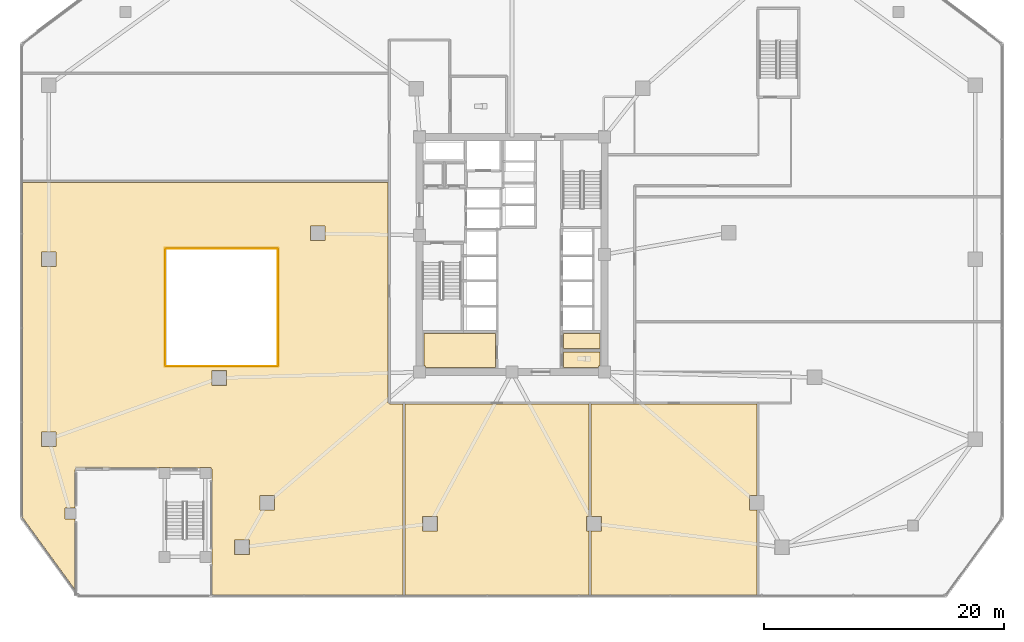
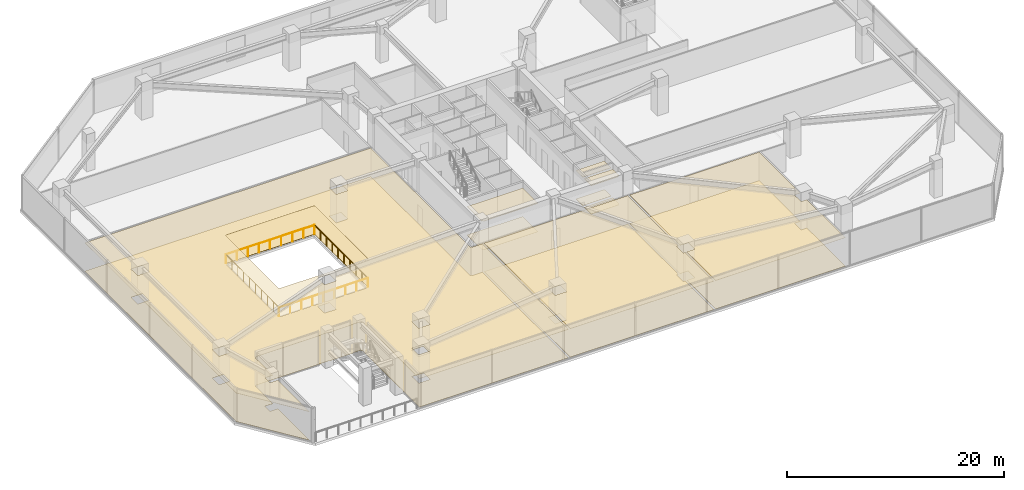
# One storey, part 15 of 22: 12 coverings, 4 railings.
"""IFC4 building model written with IfcOpenShell, lengths in metres."""

import ifcopenshell
import ifcopenshell.guid

model = None  # the IFC model being written
_history = None  # IfcOwnerHistory: only IFC2X3 demands one
_inside = {}  # id of a spatial element -> (the spatial element, [elements in it])
_under = {}  # id of a project, library or spatial element -> (it, [spatial elements below it])
_declared = {}  # id of a project -> (the project, [libraries it declares])
_typed = {}  # id of a type object -> (the type object, [elements of that type])
_made_of = {}  # id of a material, layer set ... -> (it, [elements and type objects made of it])


def new_model(schema):
    """Start an empty IFC model of exactly this schema.

    Asked for "IFC4X3", IfcOpenShell would pick the latest addendum, in which some entities
    have other attributes; the version numbers below select the first issue.
    IFC2X3 requires an IfcOwnerHistory on every rooted entity: one is made here for all.
    """
    global model, _history
    if schema == "IFC4X3":
        model = ifcopenshell.file(schema_version=(4, 3, 0, 0))
    else:
        model = ifcopenshell.file(schema=schema)
    _inside.clear()
    _under.clear()
    _declared.clear()
    _typed.clear()
    _made_of.clear()
    _history = None
    if model.schema == "IFC2X3":
        org = make("IfcOrganization", Name="unknown")
        user = make(
            "IfcPersonAndOrganization",
            ThePerson=make("IfcPerson", FamilyName="unknown"),
            TheOrganization=org,
        )
        app = make(
            "IfcApplication",
            ApplicationDeveloper=org,
            Version="unknown",
            ApplicationFullName="unknown",
            ApplicationIdentifier="unknown",
        )
        _history = make(
            "IfcOwnerHistory",
            OwningUser=user,
            OwningApplication=app,
            ChangeAction="ADDED",
            CreationDate=0,
        )
    return model


def make(cls, **values):
    """One entity of the class cls with the attributes given. An attribute that is None is left unset."""
    return model.create_entity(
        cls, **{name: value for name, value in values.items() if value is not None}
    )


def rooted(cls, **values):
    """An entity with a GlobalId (a new one), such as an element, a storey or a relation."""
    return make(cls, GlobalId=ifcopenshell.guid.new(), OwnerHistory=_history, **values)


def si_unit(unit_type, name, prefix=None):
    """IfcSIUnit, for example si_unit("LENGTHUNIT", "METRE", prefix="MILLI")."""
    return make("IfcSIUnit", UnitType=unit_type, Prefix=prefix, Name=name)


def assignment(units):
    """IfcUnitAssignment: the units of a project."""
    return None if units is None else make("IfcUnitAssignment", Units=units)


def point(xyz):
    """IfcCartesianPoint."""
    return None if xyz is None else make("IfcCartesianPoint", Coordinates=xyz)


def direction(xyz):
    """IfcDirection."""
    return None if xyz is None else make("IfcDirection", DirectionRatios=xyz)


def frame(location, z_axis=None, x_axis=None):
    """IfcAxis2Placement3D, a coordinate frame: its origin and axes. An axis left out is left unset."""
    return make(
        "IfcAxis2Placement3D",
        Location=point(location),
        Axis=direction(z_axis),
        RefDirection=direction(x_axis),
    )


def frame_2d(location, x_axis=None):
    """IfcAxis2Placement2D, a coordinate frame in the plane: its origin and x axis."""
    return make(
        "IfcAxis2Placement2D", Location=point(location), RefDirection=direction(x_axis)
    )


def origin():
    """The frame at (0, 0, 0) with its axes left unset."""
    return frame((0.0, 0.0, 0.0))


def origin_2d():
    """The frame at (0, 0) in the plane with its x axis left unset."""
    return frame_2d((0.0, 0.0))


def place(relative_to, where):
    """IfcLocalPlacement: puts the frame where relative to a parent placement (None: the world)."""
    return make(
        "IfcLocalPlacement", PlacementRelTo=relative_to, RelativePlacement=where
    )


def context(
    kind, dimensions, precision=None, world=None, true_north=None, identifier=None
):
    """IfcGeometricRepresentationContext, for example the 3D "Model" context."""
    return make(
        "IfcGeometricRepresentationContext",
        ContextIdentifier=identifier,
        ContextType=kind,
        CoordinateSpaceDimension=dimensions,
        Precision=precision,
        WorldCoordinateSystem=world,
        TrueNorth=true_north,
    )


def subcontext(parent, identifier, kind, view, scale=None):
    """IfcGeometricRepresentationSubContext, for example "Body" below "Model"."""
    return make(
        "IfcGeometricRepresentationSubContext",
        ContextIdentifier=identifier,
        ContextType=kind,
        ParentContext=parent,
        TargetScale=scale,
        TargetView=view,
    )


def project(units=None, contexts=None):
    """IfcProject with its units and contexts."""
    return rooted(
        "IfcProject",
        Name="project",
        RepresentationContexts=contexts,
        UnitsInContext=assignment(units),
    )


def spatial(cls, under=None, at=None, **own):
    """A site, building, storey or space (cls), placed at a placement, below another one or the project."""
    s = rooted(cls, ObjectPlacement=at, **own)
    if under is not None:
        _under.setdefault(under.id(), (under, []))[1].append(s)
    return s


def polyline(points):
    """IfcPolyline through the points."""
    return make("IfcPolyline", Points=[point(p) for p in points])


def profile(cls, at=None, kind="AREA", **sizes):
    """A parametric profile (cls). Its sizes go by their IFC names, for example OverallWidth=200.0."""
    return make(cls, ProfileType=kind, Position=at, **sizes)


def circle(**sizes):
    """IfcCircleProfileDef."""
    return profile("IfcCircleProfileDef", **sizes)


def outline(outer, holes=None, kind="AREA"):
    """IfcArbitraryClosedProfileDef: a profile drawn as a closed curve; with holes, ...WithVoids."""
    if holes is None:
        return make("IfcArbitraryClosedProfileDef", ProfileType=kind, OuterCurve=outer)
    return make(
        "IfcArbitraryProfileDefWithVoids",
        ProfileType=kind,
        OuterCurve=outer,
        InnerCurves=holes,
    )


def extrude(swept, where, along, depth):
    """IfcExtrudedAreaSolid: the profile swept, set in the frame where, extruded along a direction by depth."""
    return make(
        "IfcExtrudedAreaSolid",
        SweptArea=swept,
        Position=where,
        ExtrudedDirection=direction(along),
        Depth=depth,
    )


def shape(context_of_items, identifier, shape_type, items):
    """IfcShapeRepresentation: the items that make up one representation, for example the "Body"."""
    return make(
        "IfcShapeRepresentation",
        ContextOfItems=context_of_items,
        RepresentationIdentifier=identifier,
        RepresentationType=shape_type,
        Items=items,
    )


def material(Name=None, Category=None):
    """IfcMaterial."""
    return make("IfcMaterial", Name=Name, Category=Category)


def layer(
    of_material, thickness, ventilated=None, Name=None, Category=None, Priority=None
):
    """IfcMaterialLayer: one layer of a wall or slab, of a material (None: an air gap)."""
    return make(
        "IfcMaterialLayer",
        Material=of_material,
        LayerThickness=thickness,
        IsVentilated=ventilated,
        Name=Name,
        Category=Category,
        Priority=Priority,
    )


def layer_set(layers, Name=None):
    """IfcMaterialLayerSet."""
    return make("IfcMaterialLayerSet", MaterialLayers=layers, LayerSetName=Name)


def made_of(thing, what):
    """Note that an element or type object is made of a material, layer set ...; save() writes the relation."""
    if what is not None:
        _made_of.setdefault(what.id(), (what, []))[1].append(thing)
    return thing


def type_object(cls, material=None, **own):
    """A type object (cls), such as IfcWallType, which elements share."""
    return made_of(rooted(cls, **own), material)


def element(
    cls,
    number,
    at=None,
    inside=None,
    cuts=None,
    type_object=None,
    material=None,
    context=None,
    identifier="Body",
    shape_type=None,
    held_by="IfcProductDefinitionShape",
    body=None,
    shapes=None,
    **own,
):
    """One element of the class cls, such as IfcWall. Its Tag is "e" and its number.

    at: its placement. inside: the storey or other place that contains it. cuts: it is an
    opening in that element (IfcRelVoidsElement). A single representation is given by context,
    identifier, shape_type and body (its items); several are given by shapes. held_by: the class
    of the entity that holds the representations. save() writes the other relations.
    """
    e = rooted(cls, Tag="e%d" % number, ObjectPlacement=at, **own)
    if body is not None:
        shapes = [shape(context, identifier, shape_type, body)]
    if shapes is not None:
        e.Representation = make(held_by, Representations=shapes)
    if inside is not None:
        _inside.setdefault(inside.id(), (inside, []))[1].append(e)
    if cuts is not None:
        rooted(
            "IfcRelVoidsElement", RelatingBuildingElement=cuts, RelatedOpeningElement=e
        )
    if type_object is not None:
        _typed.setdefault(type_object.id(), (type_object, []))[1].append(e)
    return made_of(e, material)


def aggregate(whole, parts):
    """IfcRelAggregates: a whole, such as a stair, and the parts it consists of."""
    return rooted("IfcRelAggregates", RelatingObject=whole, RelatedObjects=parts)


def save(model, path):
    """Write the relations noted so far, then the file.

    IfcRelAggregates (storeys below a building ...), IfcRelContainedInSpatialStructure (elements
    in a storey), IfcRelDefinesByType, IfcRelAssociatesMaterial and IfcRelDeclares: one each for
    every whole, place, type object, material and project.
    """
    for whole, parts in _under.values():
        aggregate(whole, parts)
    for where, things in _inside.values():
        rooted(
            "IfcRelContainedInSpatialStructure",
            RelatedElements=things,
            RelatingStructure=where,
        )
    for kind, things in _typed.values():
        rooted("IfcRelDefinesByType", RelatedObjects=things, RelatingType=kind)
    for what, things in _made_of.values():
        rooted("IfcRelAssociatesMaterial", RelatedObjects=things, RelatingMaterial=what)
    for by, libraries in _declared.values():
        rooted("IfcRelDeclares", RelatingContext=by, RelatedDefinitions=libraries)
    model.write(path)


model = new_model("IFC4")

# Units and contexts
model_context = context("Model", 3, precision=1e-05, world=origin(), true_north=direction((0.0, 1.0)))
body_context = subcontext(model_context, "Body", "Model", "MODEL_VIEW")
ifc_project = project(units=[si_unit("LENGTHUNIT", "METRE"), si_unit("AREAUNIT", "SQUARE_METRE"), si_unit("VOLUMEUNIT", "CUBIC_METRE"), si_unit("PLANEANGLEUNIT", "RADIAN"), si_unit("MASSUNIT", "GRAM", prefix="KILO")], contexts=[model_context])

# Site, building, storey
site_placement = place(None, origin())
site = spatial("IfcSite", under=ifc_project, at=site_placement, CompositionType="ELEMENT")
building_placement = place(site_placement, origin())
building = spatial("IfcBuilding", under=site, at=building_placement, Name="Savorim Split Tower", CompositionType="ELEMENT")
storey_placement = place(building_placement, frame((0.0, 0.0, 17.60009765625)))
storey = spatial("IfcBuildingStorey", under=building, at=storey_placement, Name="L04", CompositionType="ELEMENT", Elevation=17.60009765625)

# Coverings
ifc_material_1 = material(Name="Mineral Fibre Acoustic Ceiling")
ifc_layer_1 = layer(ifc_material_1, 0.02490234375)
ifc_layer_set_1 = layer_set([ifc_layer_1], Name="COV-CEIL-25")
covering_type_1 = type_object("IfcCoveringType", Name="COV-CEIL-25", PredefinedType="CEILING", material=ifc_layer_set_1)
covering_1_placement = place(storey_placement, frame((0.0, 0.0, 3.199951171875)))
element("IfcCovering", 1, at=covering_1_placement, inside=storey, type_object=covering_type_1, Name="L04 Housekeeping Store Acoustic Ceiling", PredefinedType="CEILING", context=body_context, shape_type="SweptSolid", body=[
    extrude(outline(polyline([(-1.3798828125, -6.179931640625), (-7.320068359375, -6.179931640625), (-7.320068359375, -8.889892578125), (-7.18994140625, -8.889892578125), (-7.18994140625, -9.02001953125), (-1.3798828125, -9.02001953125), (-1.3798828125, -6.179931640625)])), origin(), (0.0, 0.0, 1.0), 0.02490234375),
])
covering_2_placement = place(storey_placement, frame((0.0, 0.0, 3.199951171875)))
element("IfcCovering", 2, at=covering_2_placement, inside=storey, type_object=covering_type_1, Name="L04 Accessible WC Acoustic Ceiling", PredefinedType="CEILING", context=body_context, shape_type="SweptSolid", body=[
    extrude(outline(polyline([(4.280029296875, -7.719970703125), (4.280029296875, -9.02001953125), (7.18994140625, -9.02001953125), (7.18994140625, -8.889892578125), (7.320068359375, -8.889892578125), (7.320068359375, -7.719970703125), (4.280029296875, -7.719970703125)])), origin(), (0.0, 0.0, 1.0), 0.02490234375),
])
covering_3_placement = place(storey_placement, frame((0.0, 0.0, 3.199951171875)))
element("IfcCovering", 3, at=covering_3_placement, inside=storey, type_object=covering_type_1, Name="L04 Cleaning Store Acoustic Ceiling", PredefinedType="CEILING", context=body_context, shape_type="SweptSolid", body=[
    extrude(outline(polyline([(4.280029296875, -6.179931640625), (4.280029296875, -7.43994140625), (7.320068359375, -7.43994140625), (7.320068359375, -6.179931640625), (4.280029296875, -6.179931640625)])), origin(), (0.0, 0.0, 1.0), 0.02490234375),
])
covering_4_placement = place(storey_placement, frame((0.0, 0.0, 3.199951171875)))
element("IfcCovering", 4, at=covering_4_placement, inside=storey, type_object=covering_type_1, Name="L04 Co-Working Commons Acoustic Ceiling", PredefinedType="CEILING", context=body_context, shape_type="SweptSolid", body=[
    extrude(outline(polyline([(-10.31494140625, 6.405029296875), (-40.780029296875, 6.405029296875), (-40.780029296875, -21.528564453125), (-36.419921875, -27.5234375), (-36.419921875, -21.659912109375), (-37.260009765625, -21.659912109375), (-37.260009765625, -20.739990234375), (-36.419921875, -20.739990234375), (-36.419921875, -17.60009765625), (-36.4189453125, -17.578369140625), (-36.415771484375, -17.55712890625), (-36.410400390625, -17.5361328125), (-36.4033203125, -17.515869140625), (-36.39404296875, -17.496337890625), (-36.3828125, -17.477783203125), (-36.3701171875, -17.46044921875), (-36.355712890625, -17.4443359375), (-36.339599609375, -17.429931640625), (-36.322265625, -17.4169921875), (-36.3037109375, -17.406005859375), (-36.2841796875, -17.396728515625), (-36.263916015625, -17.389404296875), (-36.242919921875, -17.38427734375), (-36.2216796875, -17.381103515625), (-36.199951171875, -17.3798828125), (-29.409912109375, -17.3798828125), (-29.409912109375, -17.340087890625), (-28.489990234375, -17.340087890625), (-28.489990234375, -17.3798828125), (-26.010009765625, -17.3798828125), (-26.010009765625, -17.340087890625), (-25.090087890625, -17.340087890625), (-25.090087890625, -17.40966796875), (-25.077880859375, -17.4169921875), (-25.060302734375, -17.429931640625), (-25.04443359375, -17.4443359375), (-25.02978515625, -17.46044921875), (-25.01708984375, -17.477783203125), (-25.006103515625, -17.496337890625), (-24.99658203125, -17.515869140625), (-24.989501953125, -17.5361328125), (-24.984130859375, -17.55712890625), (-24.981201171875, -17.578369140625), (-24.97998046875, -17.60009765625), (-24.97998046875, -27.97998046875), (-9.094970703125, -27.97998046875), (-9.094970703125, -12.074951171875), (-10.219970703125, -12.074951171875), (-10.219970703125, -11.97998046875), (-10.31494140625, -11.97998046875), (-10.31494140625, 6.405029296875)]), holes=[polyline([(-28.947021484375, -8.829345703125), (-28.943603515625, -8.843505859375), (-28.938720703125, -8.857421875), (-28.932373046875, -8.87060546875), (-28.9248046875, -8.88330078125), (-28.916015625, -8.895263671875), (-28.906005859375, -8.906005859375), (-28.895263671875, -8.916015625), (-28.88330078125, -8.9248046875), (-28.87060546875, -8.932373046875), (-28.857421875, -8.938720703125), (-28.843505859375, -8.943603515625), (-28.829345703125, -8.947021484375), (-28.814697265625, -8.94921875), (-28.800048828125, -8.949951171875), (-19.60009765625, -8.949951171875), (-19.585205078125, -8.94921875), (-19.57080078125, -8.947021484375), (-19.556396484375, -8.943603515625), (-19.54248046875, -8.938720703125), (-19.529296875, -8.932373046875), (-19.5166015625, -8.9248046875), (-19.5048828125, -8.916015625), (-19.493896484375, -8.906005859375), (-19.48388671875, -8.895263671875), (-19.475341796875, -8.88330078125), (-19.4677734375, -8.87060546875), (-19.46142578125, -8.857421875), (-19.45654296875, -8.843505859375), (-19.452880859375, -8.829345703125), (-19.45068359375, -8.814697265625), (-19.449951171875, -8.800048828125), (-19.449951171875, 0.800048828125), (-19.45068359375, 0.814697265625), (-19.452880859375, 0.829345703125), (-19.45654296875, 0.843505859375), (-19.46142578125, 0.857421875), (-19.4677734375, 0.87060546875), (-19.475341796875, 0.88330078125), (-19.48388671875, 0.895263671875), (-19.493896484375, 0.906005859375), (-19.5048828125, 0.916015625), (-19.5166015625, 0.9248046875), (-19.529296875, 0.932373046875), (-19.54248046875, 0.938720703125), (-19.556396484375, 0.943603515625), (-19.57080078125, 0.947021484375), (-19.585205078125, 0.94921875), (-19.60009765625, 0.949951171875), (-28.800048828125, 0.949951171875), (-28.814697265625, 0.94921875), (-28.829345703125, 0.947021484375), (-28.843505859375, 0.943603515625), (-28.857421875, 0.938720703125), (-28.87060546875, 0.932373046875), (-28.88330078125, 0.9248046875), (-28.895263671875, 0.916015625), (-28.906005859375, 0.906005859375), (-28.916015625, 0.895263671875), (-28.9248046875, 0.88330078125), (-28.932373046875, 0.87060546875), (-28.938720703125, 0.857421875), (-28.943603515625, 0.843505859375), (-28.947021484375, 0.829345703125), (-28.94921875, 0.814697265625), (-28.949951171875, 0.800048828125), (-28.949951171875, -8.800048828125), (-28.94921875, -8.814697265625), (-28.947021484375, -8.829345703125)]), polyline([(-37.989990234375, 0.610107421875), (-39.2099609375, 0.610107421875), (-39.2099609375, -0.610107421875), (-37.989990234375, -0.610107421875), (-37.989990234375, 0.610107421875)]), polyline([(-39.2099609375, -14.389892578125), (-39.2099609375, -15.610107421875), (-37.989990234375, -15.610107421875), (-37.989990234375, -14.389892578125), (-39.2099609375, -14.389892578125)]), polyline([(-23.110107421875, -24.610107421875), (-21.889892578125, -24.610107421875), (-21.889892578125, -23.389892578125), (-23.110107421875, -23.389892578125), (-23.110107421875, -24.610107421875)]), polyline([(-19.774169921875, -20.90185546875), (-19.774169921875, -19.681884765625), (-20.994140625, -19.681884765625), (-20.994140625, -20.90185546875), (-19.774169921875, -20.90185546875)]), polyline([(-15.57861328125, 1.543701171875), (-15.57861328125, 2.763671875), (-16.798583984375, 2.763671875), (-16.798583984375, 1.543701171875), (-15.57861328125, 1.543701171875)]), polyline([(-23.7744140625, -9.2841796875), (-24.994384765625, -9.2841796875), (-24.994384765625, -10.50439453125), (-23.7744140625, -10.50439453125), (-23.7744140625, -9.2841796875)])]), origin(), (0.0, 0.0, 1.0), 0.02490234375),
])
covering_5_placement = place(storey_placement, frame((0.0, 0.0, 3.199951171875)))
element("IfcCovering", 5, at=covering_5_placement, inside=storey, type_object=covering_type_1, Name="L04 Quiet Study Room Acoustic Ceiling", PredefinedType="CEILING", context=body_context, shape_type="SweptSolid", body=[
    extrude(outline(polyline([(6.405029296875, -12.074951171875), (-8.905029296875, -12.074951171875), (-8.905029296875, -27.97998046875), (6.405029296875, -27.97998046875), (6.405029296875, -22.641845703125), (6.2216796875, -22.641845703125), (6.2216796875, -21.421875), (6.405029296875, -21.421875), (6.405029296875, -12.074951171875)]), holes=[polyline([(-6.2216796875, -21.421875), (-7.44189453125, -21.421875), (-7.44189453125, -22.641845703125), (-6.2216796875, -22.641845703125), (-6.2216796875, -21.421875)])]), origin(), (0.0, 0.0, 1.0), 0.02490234375),
])
covering_6_placement = place(storey_placement, frame((0.0, 0.0, 3.199951171875)))
element("IfcCovering", 6, at=covering_6_placement, inside=storey, type_object=covering_type_1, Name="L04 Atrium Gallery Acoustic Ceiling", PredefinedType="CEILING", context=body_context, shape_type="SweptSolid", body=[
    extrude(outline(polyline([(7.44189453125, -22.641845703125), (6.594970703125, -22.641845703125), (6.594970703125, -27.97998046875), (20.405029296875, -27.97998046875), (20.405029296875, -20.90185546875), (19.774169921875, -20.90185546875), (19.774169921875, -19.681884765625), (20.405029296875, -19.681884765625), (20.405029296875, -12.074951171875), (6.594970703125, -12.074951171875), (6.594970703125, -21.421875), (7.44189453125, -21.421875), (7.44189453125, -22.641845703125)])), origin(), (0.0, 0.0, 1.0), 0.02490234375),
])
ifc_material_2 = material(Name="Porcelain Stoneware Flooring", Category="masonry")
ifc_layer_2 = layer(ifc_material_2, 0.02001953125)
ifc_layer_set_2 = layer_set([ifc_layer_2], Name="COV-FLOR-20")
covering_type_2 = type_object("IfcCoveringType", Name="COV-FLOR-20", PredefinedType="FLOORING", material=ifc_layer_set_2)
covering_7_placement = place(storey_placement, origin())
element("IfcCovering", 7, at=covering_7_placement, inside=storey, type_object=covering_type_2, Name="L04 Housekeeping Store Porcelain Flooring", PredefinedType="FLOORING", context=body_context, shape_type="SweptSolid", body=[
    extrude(outline(polyline([(-1.3798828125, -6.179931640625), (-7.320068359375, -6.179931640625), (-7.320068359375, -8.889892578125), (-7.18994140625, -8.889892578125), (-7.18994140625, -9.02001953125), (-1.3798828125, -9.02001953125), (-1.3798828125, -6.179931640625)])), origin(), (0.0, 0.0, 1.0), 0.02001953125),
])
covering_8_placement = place(storey_placement, origin())
element("IfcCovering", 8, at=covering_8_placement, inside=storey, type_object=covering_type_2, Name="L04 Accessible WC Porcelain Flooring", PredefinedType="FLOORING", context=body_context, shape_type="SweptSolid", body=[
    extrude(outline(polyline([(4.280029296875, -7.719970703125), (4.280029296875, -9.02001953125), (7.18994140625, -9.02001953125), (7.18994140625, -8.889892578125), (7.320068359375, -8.889892578125), (7.320068359375, -7.719970703125), (4.280029296875, -7.719970703125)])), origin(), (0.0, 0.0, 1.0), 0.02001953125),
])
covering_9_placement = place(storey_placement, origin())
element("IfcCovering", 9, at=covering_9_placement, inside=storey, type_object=covering_type_2, Name="L04 Cleaning Store Porcelain Flooring", PredefinedType="FLOORING", context=body_context, shape_type="SweptSolid", body=[
    extrude(outline(polyline([(4.280029296875, -6.179931640625), (4.280029296875, -7.43994140625), (7.320068359375, -7.43994140625), (7.320068359375, -6.179931640625), (4.280029296875, -6.179931640625)])), origin(), (0.0, 0.0, 1.0), 0.02001953125),
])
covering_10_placement = place(storey_placement, origin())
element("IfcCovering", 10, at=covering_10_placement, inside=storey, type_object=covering_type_2, Name="L04 Co-Working Commons Porcelain Flooring", PredefinedType="FLOORING", context=body_context, shape_type="SweptSolid", body=[
    extrude(outline(polyline([(-10.31494140625, 6.405029296875), (-40.780029296875, 6.405029296875), (-40.780029296875, -21.528564453125), (-36.419921875, -27.5234375), (-36.419921875, -21.659912109375), (-37.260009765625, -21.659912109375), (-37.260009765625, -20.739990234375), (-36.419921875, -20.739990234375), (-36.419921875, -17.60009765625), (-36.4189453125, -17.578369140625), (-36.415771484375, -17.55712890625), (-36.410400390625, -17.5361328125), (-36.4033203125, -17.515869140625), (-36.39404296875, -17.496337890625), (-36.3828125, -17.477783203125), (-36.3701171875, -17.46044921875), (-36.355712890625, -17.4443359375), (-36.339599609375, -17.429931640625), (-36.322265625, -17.4169921875), (-36.3037109375, -17.406005859375), (-36.2841796875, -17.396728515625), (-36.263916015625, -17.389404296875), (-36.242919921875, -17.38427734375), (-36.2216796875, -17.381103515625), (-36.199951171875, -17.3798828125), (-29.409912109375, -17.3798828125), (-29.409912109375, -17.340087890625), (-28.489990234375, -17.340087890625), (-28.489990234375, -17.3798828125), (-26.010009765625, -17.3798828125), (-26.010009765625, -17.340087890625), (-25.090087890625, -17.340087890625), (-25.090087890625, -17.40966796875), (-25.077880859375, -17.4169921875), (-25.060302734375, -17.429931640625), (-25.04443359375, -17.4443359375), (-25.02978515625, -17.46044921875), (-25.01708984375, -17.477783203125), (-25.006103515625, -17.496337890625), (-24.99658203125, -17.515869140625), (-24.989501953125, -17.5361328125), (-24.984130859375, -17.55712890625), (-24.981201171875, -17.578369140625), (-24.97998046875, -17.60009765625), (-24.97998046875, -27.97998046875), (-9.094970703125, -27.97998046875), (-9.094970703125, -12.074951171875), (-10.219970703125, -12.074951171875), (-10.219970703125, -11.97998046875), (-10.31494140625, -11.97998046875), (-10.31494140625, 6.405029296875)]), holes=[polyline([(-28.947021484375, -8.829345703125), (-28.943603515625, -8.843505859375), (-28.938720703125, -8.857421875), (-28.932373046875, -8.87060546875), (-28.9248046875, -8.88330078125), (-28.916015625, -8.895263671875), (-28.906005859375, -8.906005859375), (-28.895263671875, -8.916015625), (-28.88330078125, -8.9248046875), (-28.87060546875, -8.932373046875), (-28.857421875, -8.938720703125), (-28.843505859375, -8.943603515625), (-28.829345703125, -8.947021484375), (-28.814697265625, -8.94921875), (-28.800048828125, -8.949951171875), (-19.60009765625, -8.949951171875), (-19.585205078125, -8.94921875), (-19.57080078125, -8.947021484375), (-19.556396484375, -8.943603515625), (-19.54248046875, -8.938720703125), (-19.529296875, -8.932373046875), (-19.5166015625, -8.9248046875), (-19.5048828125, -8.916015625), (-19.493896484375, -8.906005859375), (-19.48388671875, -8.895263671875), (-19.475341796875, -8.88330078125), (-19.4677734375, -8.87060546875), (-19.46142578125, -8.857421875), (-19.45654296875, -8.843505859375), (-19.452880859375, -8.829345703125), (-19.45068359375, -8.814697265625), (-19.449951171875, -8.800048828125), (-19.449951171875, 0.800048828125), (-19.45068359375, 0.814697265625), (-19.452880859375, 0.829345703125), (-19.45654296875, 0.843505859375), (-19.46142578125, 0.857421875), (-19.4677734375, 0.87060546875), (-19.475341796875, 0.88330078125), (-19.48388671875, 0.895263671875), (-19.493896484375, 0.906005859375), (-19.5048828125, 0.916015625), (-19.5166015625, 0.9248046875), (-19.529296875, 0.932373046875), (-19.54248046875, 0.938720703125), (-19.556396484375, 0.943603515625), (-19.57080078125, 0.947021484375), (-19.585205078125, 0.94921875), (-19.60009765625, 0.949951171875), (-28.800048828125, 0.949951171875), (-28.814697265625, 0.94921875), (-28.829345703125, 0.947021484375), (-28.843505859375, 0.943603515625), (-28.857421875, 0.938720703125), (-28.87060546875, 0.932373046875), (-28.88330078125, 0.9248046875), (-28.895263671875, 0.916015625), (-28.906005859375, 0.906005859375), (-28.916015625, 0.895263671875), (-28.9248046875, 0.88330078125), (-28.932373046875, 0.87060546875), (-28.938720703125, 0.857421875), (-28.943603515625, 0.843505859375), (-28.947021484375, 0.829345703125), (-28.94921875, 0.814697265625), (-28.949951171875, 0.800048828125), (-28.949951171875, -8.800048828125), (-28.94921875, -8.814697265625), (-28.947021484375, -8.829345703125)]), polyline([(-37.989990234375, 0.610107421875), (-39.2099609375, 0.610107421875), (-39.2099609375, -0.610107421875), (-37.989990234375, -0.610107421875), (-37.989990234375, 0.610107421875)]), polyline([(-39.2099609375, -14.389892578125), (-39.2099609375, -15.610107421875), (-37.989990234375, -15.610107421875), (-37.989990234375, -14.389892578125), (-39.2099609375, -14.389892578125)]), polyline([(-23.110107421875, -24.610107421875), (-21.889892578125, -24.610107421875), (-21.889892578125, -23.389892578125), (-23.110107421875, -23.389892578125), (-23.110107421875, -24.610107421875)]), polyline([(-19.774169921875, -20.90185546875), (-19.774169921875, -19.681884765625), (-20.994140625, -19.681884765625), (-20.994140625, -20.90185546875), (-19.774169921875, -20.90185546875)]), polyline([(-15.57861328125, 1.543701171875), (-15.57861328125, 2.763671875), (-16.798583984375, 2.763671875), (-16.798583984375, 1.543701171875), (-15.57861328125, 1.543701171875)]), polyline([(-23.7744140625, -9.2841796875), (-24.994384765625, -9.2841796875), (-24.994384765625, -10.50439453125), (-23.7744140625, -10.50439453125), (-23.7744140625, -9.2841796875)])]), origin(), (0.0, 0.0, 1.0), 0.02001953125),
])
covering_11_placement = place(storey_placement, origin())
element("IfcCovering", 11, at=covering_11_placement, inside=storey, type_object=covering_type_2, Name="L04 Quiet Study Room Porcelain Flooring", PredefinedType="FLOORING", context=body_context, shape_type="SweptSolid", body=[
    extrude(outline(polyline([(6.405029296875, -12.074951171875), (-8.905029296875, -12.074951171875), (-8.905029296875, -27.97998046875), (6.405029296875, -27.97998046875), (6.405029296875, -22.641845703125), (6.2216796875, -22.641845703125), (6.2216796875, -21.421875), (6.405029296875, -21.421875), (6.405029296875, -12.074951171875)]), holes=[polyline([(-6.2216796875, -21.421875), (-7.44189453125, -21.421875), (-7.44189453125, -22.641845703125), (-6.2216796875, -22.641845703125), (-6.2216796875, -21.421875)])]), origin(), (0.0, 0.0, 1.0), 0.02001953125),
])
covering_12_placement = place(storey_placement, origin())
element("IfcCovering", 12, at=covering_12_placement, inside=storey, type_object=covering_type_2, Name="L04 Atrium Gallery Porcelain Flooring", PredefinedType="FLOORING", context=body_context, shape_type="SweptSolid", body=[
    extrude(outline(polyline([(7.44189453125, -22.641845703125), (6.594970703125, -22.641845703125), (6.594970703125, -27.97998046875), (20.405029296875, -27.97998046875), (20.405029296875, -20.90185546875), (19.774169921875, -20.90185546875), (19.774169921875, -19.681884765625), (20.405029296875, -19.681884765625), (20.405029296875, -12.074951171875), (6.594970703125, -12.074951171875), (6.594970703125, -21.421875), (7.44189453125, -21.421875), (7.44189453125, -22.641845703125)])), origin(), (0.0, 0.0, 1.0), 0.02001953125),
])

# Railings
ifc_material_3 = material(Name="Galvanised Painted Steel Balustrade", Category="steel")
railing_type = type_object("IfcRailingType", Name="RLG-STG-1100", PredefinedType="BALUSTRADE", material=ifc_material_3)
for number, where, name in (
    (13, (-28.919921875, -8.919921875, 0.0), "L04 Atrium Void Guard South"),
    (14, (-28.919921875, 0.919921875, 0.0), "L04 Atrium Void Guard North"),
):
    element("IfcRailing", number, at=place(storey_placement, frame(where)), inside=storey, type_object=railing_type, Name=name, PredefinedType="BALUSTRADE", context=body_context, shape_type="SweptSolid", body=[
        extrude(circle(Radius=0.02392578125, at=origin_2d()), frame((0.0, 0.0, 1.076171875), z_axis=(1.0, 0.0, 0.0), x_axis=(0.0, 1.0, 0.0)), (0.0, 0.0, 1.0), 9.43994140625),
        extrude(circle(Radius=0.02099609375, at=origin_2d()), origin(), (0.0, 0.0, 1.0), 1.052001953125),
        extrude(circle(Radius=0.02099609375, at=origin_2d()), frame((1.179931640625, 0.0, 0.0)), (0.0, 0.0, 1.0), 1.052001953125),
        extrude(circle(Radius=0.02099609375, at=origin_2d()), frame((2.35986328125, 0.0, 0.0)), (0.0, 0.0, 1.0), 1.052001953125),
        extrude(circle(Radius=0.02099609375, at=origin_2d()), frame((3.5400390625, 0.0, 0.0)), (0.0, 0.0, 1.0), 1.052001953125),
        extrude(circle(Radius=0.02099609375, at=origin_2d()), frame((4.719970703125, 0.0, 0.0)), (0.0, 0.0, 1.0), 1.052001953125),
        extrude(circle(Radius=0.02099609375, at=origin_2d()), frame((5.89990234375, 0.0, 0.0)), (0.0, 0.0, 1.0), 1.052001953125),
        extrude(circle(Radius=0.02099609375, at=origin_2d()), frame((7.080078125, 0.0, 0.0)), (0.0, 0.0, 1.0), 1.052001953125),
        extrude(circle(Radius=0.02099609375, at=origin_2d()), frame((8.260009765625, 0.0, 0.0)), (0.0, 0.0, 1.0), 1.052001953125),
        extrude(circle(Radius=0.02099609375, at=origin_2d()), frame((9.43994140625, 0.0, 0.0)), (0.0, 0.0, 1.0), 1.052001953125),
    ])
for number, where, name in (
    (15, (-28.919921875, -8.919921875, 0.0), "L04 Atrium Void Guard West"),
    (16, (-19.47998046875, -8.919921875, 0.0), "L04 Atrium Void Guard East"),
):
    element("IfcRailing", number, at=place(storey_placement, frame(where)), inside=storey, type_object=railing_type, Name=name, PredefinedType="BALUSTRADE", context=body_context, shape_type="SweptSolid", body=[
        extrude(circle(Radius=0.02392578125, at=origin_2d()), frame((0.0, 0.0, 1.076171875), z_axis=(0.0, 1.0, 0.0), x_axis=(-1.0, 0.0, 0.0)), (0.0, 0.0, 1.0), 9.83984375),
        extrude(circle(Radius=0.02099609375, at=origin_2d()), origin(), (0.0, 0.0, 1.0), 1.052001953125),
        extrude(circle(Radius=0.02099609375, at=origin_2d()), frame((0.0, 1.09326171875, 0.0)), (0.0, 0.0, 1.0), 1.052001953125),
        extrude(circle(Radius=0.02099609375, at=origin_2d()), frame((0.0, 2.1865234375, 0.0)), (0.0, 0.0, 1.0), 1.052001953125),
        extrude(circle(Radius=0.02099609375, at=origin_2d()), frame((0.0, 3.280029296875, 0.0)), (0.0, 0.0, 1.0), 1.052001953125),
        extrude(circle(Radius=0.02099609375, at=origin_2d()), frame((0.0, 4.373291015625, 0.0)), (0.0, 0.0, 1.0), 1.052001953125),
        extrude(circle(Radius=0.02099609375, at=origin_2d()), frame((0.0, 5.466552734375, 0.0)), (0.0, 0.0, 1.0), 1.052001953125),
        extrude(circle(Radius=0.02099609375, at=origin_2d()), frame((0.0, 6.559814453125, 0.0)), (0.0, 0.0, 1.0), 1.052001953125),
        extrude(circle(Radius=0.02099609375, at=origin_2d()), frame((0.0, 7.6533203125, 0.0)), (0.0, 0.0, 1.0), 1.052001953125),
        extrude(circle(Radius=0.02099609375, at=origin_2d()), frame((0.0, 8.74658203125, 0.0)), (0.0, 0.0, 1.0), 1.052001953125),
        extrude(circle(Radius=0.02099609375, at=origin_2d()), frame((0.0, 9.83984375, 0.0)), (0.0, 0.0, 1.0), 1.052001953125),
    ])

save(model, "model.ifc")
